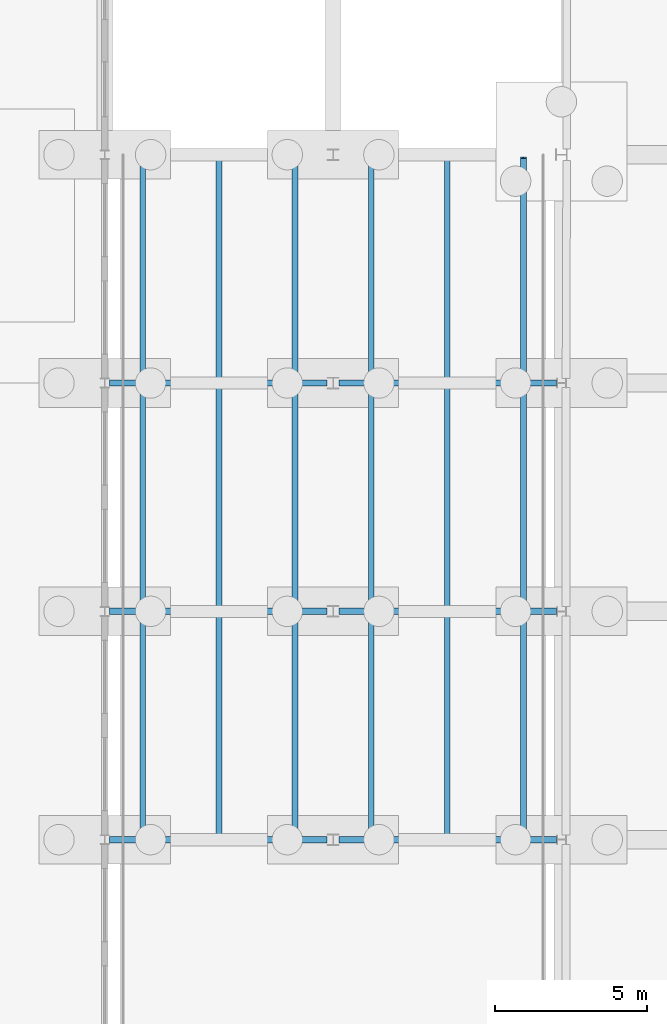
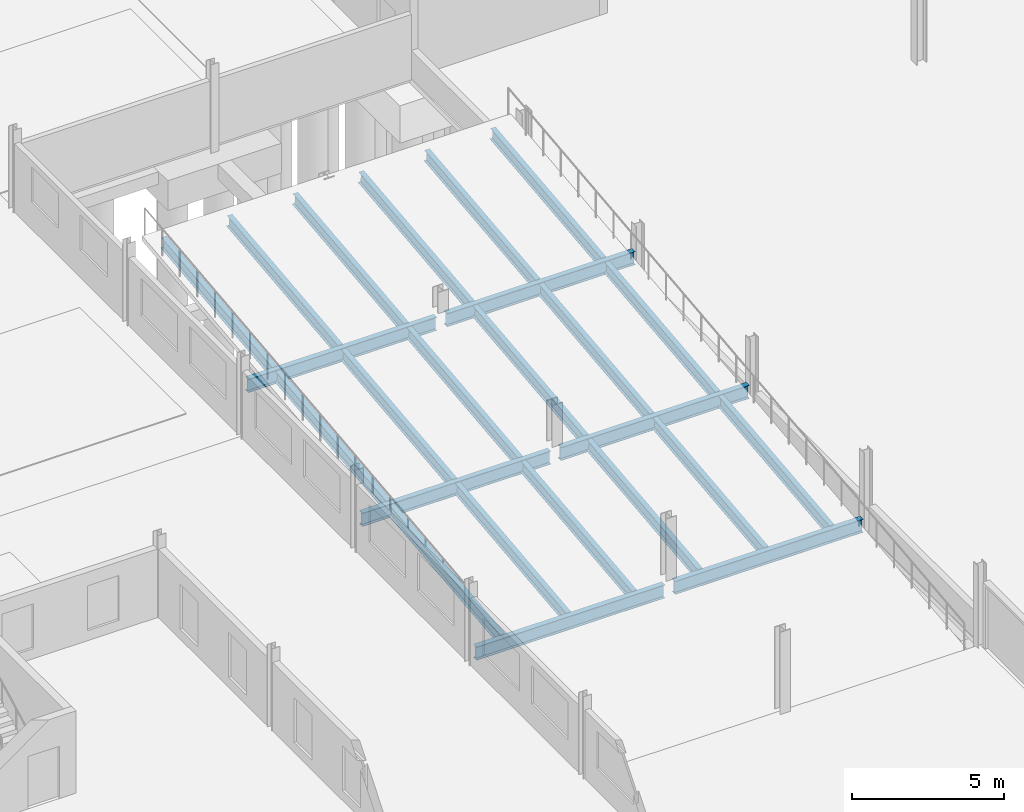
# One storey, part 58 of 130: 24 beams.
"""IFC4 building model written with IfcOpenShell, lengths in metres."""

from ifc_helpers import new_model, si_unit, direction, frame, origin, origin_2d, place, context, subcontext, project, spatial, i_section, extrude, material, material_profile, profile_set, type_object, element, save


model = new_model("IFC4")

# Units and contexts
model_context = context("Model", 3, precision=1e-05, world=origin(), true_north=direction((0.0, 1.0)))
body_context = subcontext(model_context, "Body", "Model", "MODEL_VIEW")
ifc_project = project(units=[si_unit("LENGTHUNIT", "METRE"), si_unit("AREAUNIT", "SQUARE_METRE"), si_unit("VOLUMEUNIT", "CUBIC_METRE"), si_unit("PLANEANGLEUNIT", "RADIAN"), si_unit("MASSUNIT", "GRAM", prefix="KILO")], contexts=[model_context])

# Site, building, storey
site_placement = place(None, origin())
site = spatial("IfcSite", under=ifc_project, at=site_placement, CompositionType="ELEMENT")
building_placement = place(site_placement, origin())
building = spatial("IfcBuilding", under=site, at=building_placement, Name="Parallax Yard Mobility Hub", CompositionType="ELEMENT")
storey_placement = place(building_placement, origin())
storey = spatial("IfcBuildingStorey", under=building, at=storey_placement, Name="L00", CompositionType="ELEMENT", Elevation=0.0)

# Beams
ifc_material = material(Name="Steel ASTM A992", Category="steel")
ifc_material_profile_1 = material_profile(ifc_material, i_section(OverallWidth=0.19091796875, OverallDepth=0.45703125, WebThickness=0.009033203125, FlangeThickness=0.014404296875, FilletRadius=0.01025390625, at=origin_2d()), Name="W460x74")
ifc_profile_set_1 = profile_set([ifc_material_profile_1], Name="Steel ASTM A992")
beam_type_1 = type_object("IfcBeamType", Name="W460x74 ramp beam", PredefinedType="JOIST", material=ifc_profile_set_1)
for number, where, z_axis, x_axis, name in (
    (1, (181.25, 45.1044921875, 0.406494140625), (0.0, 0.994004500635, 0.109339163695), (-1.0, 0.0, 0.0), "Ramp beam RJ1 level L00, ramp RP1 of ramp house, span 1"),
    (2, (181.25, 52.6044921875, 1.231689453125), (0.0, 0.994004500635, 0.109339163695), (-1.0, 0.0, 0.0), "Ramp beam RJ1 level L00, ramp RP1 of ramp house, span 2"),
    (3, (181.25, 60.1044921875, 2.056640625), (0.0, 0.994004500635, 0.109339163695), (-1.0, 0.0, 0.0), "Ramp beam RJ1 level L00, ramp RP1 of ramp house, span 3"),
    (4, (183.75, 45.1044921875, 0.406494140625), (0.0, 0.994004500635, 0.109339163695), (-1.0, 0.0, 0.0), "Ramp beam RJ1 level L00, ramp RP1 of ramp house, span 4"),
    (5, (183.75, 52.6044921875, 1.231689453125), (0.0, 0.994004500635, 0.109339163695), (-1.0, 0.0, 0.0), "Ramp beam RJ1 level L00, ramp RP1 of ramp house, span 5"),
    (6, (183.75, 60.1044921875, 2.056640625), (0.0, 0.994004500635, 0.109339163695), (-1.0, 0.0, 0.0), "Ramp beam RJ1 level L00, ramp RP1 of ramp house, span 6"),
    (7, (186.25, 45.1044921875, 0.406494140625), (0.0, 0.994004500635, 0.109339163695), (-1.0, 0.0, 0.0), "Ramp beam RJ1 level L00, ramp RP1 of ramp house, span 7"),
    (8, (186.25, 52.6044921875, 1.231689453125), (0.0, 0.994004500635, 0.109339163695), (-1.0, 0.0, 0.0), "Ramp beam RJ1 level L00, ramp RP1 of ramp house, span 8"),
    (9, (186.25, 60.1044921875, 2.056640625), (0.0, 0.994004500635, 0.109339163695), (-1.0, 0.0, 0.0), "Ramp beam RJ1 level L00, ramp RP1 of ramp house, span 9"),
    (10, (188.75, 45.1044921875, 0.406494140625), (0.0, 0.994004500635, 0.109339163695), (-1.0, 0.0, 0.0), "Ramp beam RJ1 level L00, ramp RP1 of ramp house, span 10"),
    (11, (188.75, 52.6044921875, 1.231689453125), (0.0, 0.994004500635, 0.109339163695), (-1.0, 0.0, 0.0), "Ramp beam RJ1 level L00, ramp RP1 of ramp house, span 11"),
    (12, (188.75, 60.1044921875, 2.056640625), (0.0, 0.994004500635, 0.109339163695), (-1.0, 0.0, 0.0), "Ramp beam RJ1 level L00, ramp RP1 of ramp house, span 12"),
    (13, (191.25, 45.1044921875, 0.406494140625), (0.0, 0.994004500635, 0.109339163695), (-1.0, 0.0, 0.0), "Ramp beam RJ1 level L00, ramp RP1 of ramp house, span 13"),
    (14, (191.25, 52.6044921875, 1.231689453125), (0.0, 0.994004500635, 0.109339163695), (-1.0, 0.0, 0.0), "Ramp beam RJ1 level L00, ramp RP1 of ramp house, span 14"),
    (15, (191.25, 60.1044921875, 2.056640625), (0.0, 0.994004500635, 0.109339163695), (-1.0, 0.0, 0.0), "Ramp beam RJ1 level L00, ramp RP1 of ramp house, span 15"),
    (16, (193.75, 45.1044921875, 0.406494140625), (0.0, 0.994004500635, 0.109339163695), (-1.0, 0.0, 0.0), "Ramp beam RJ1 level L00, ramp RP1 of ramp house, span 16"),
    (17, (193.75, 52.6044921875, 1.231689453125), (0.0, 0.994004500635, 0.109339163695), (-1.0, 0.0, 0.0), "Ramp beam RJ1 level L00, ramp RP1 of ramp house, span 17"),
    (18, (193.75, 60.1044921875, 2.056640625), (0.0, 0.994004500635, 0.109339163695), (-1.0, 0.0, 0.0), "Ramp beam RJ1 level L00, ramp RP1 of ramp house, span 18"),
):
    element("IfcBeam", number, at=place(storey_placement, frame(where, z_axis=z_axis, x_axis=x_axis)), inside=storey, type_object=beam_type_1, Name=name, PredefinedType="JOIST", context=body_context, shape_type="SweptSolid", body=[
        extrude(i_section(OverallWidth=0.19091796875, OverallDepth=0.45703125, WebThickness=0.009033203125, FlangeThickness=0.014404296875, FilletRadius=0.01025390625, at=origin_2d()), origin(), (0.0, 0.0, 1.0), 7.3349609375),
    ])
ifc_material_profile_2 = material_profile(ifc_material, i_section(OverallWidth=0.208984375, OverallDepth=0.532958984375, WebThickness=0.01025390625, FlangeThickness=0.015625, FilletRadius=0.0126953125, at=origin_2d()), Name="W530x92")
ifc_profile_set_2 = profile_set([ifc_material_profile_2], Name="Steel ASTM A992")
beam_type_2 = type_object("IfcBeamType", Name="W530x92 girder", PredefinedType="BEAM", material=ifc_profile_set_2)
beam_1_placement = place(storey_placement, frame((180.152587890625, 45.0, 0.346923828125), z_axis=(1.0, 0.0, 0.0), x_axis=(0.0, 1.0, 0.0)))
element("IfcBeam", 19, at=beam_1_placement, inside=storey, type_object=beam_type_2, Name="Girder G2 level L00, line G of ramp house, span 1", PredefinedType="BEAM", context=body_context, shape_type="SweptSolid", body=[
    extrude(i_section(OverallWidth=0.208984375, OverallDepth=0.532958984375, WebThickness=0.01025390625, FlangeThickness=0.015625, FilletRadius=0.0126953125, at=origin_2d()), origin(), (0.0, 0.0, 1.0), 7.150390625),
])
beam_2_placement = place(storey_placement, frame((187.697021484375, 45.0, 0.346923828125), z_axis=(1.0, 0.0, 0.0), x_axis=(0.0, 1.0, 0.0)))
element("IfcBeam", 20, at=beam_2_placement, inside=storey, type_object=beam_type_2, Name="Girder G2 level L00, line G of ramp house, span 2", PredefinedType="BEAM", context=body_context, shape_type="SweptSolid", body=[
    extrude(i_section(OverallWidth=0.208984375, OverallDepth=0.532958984375, WebThickness=0.01025390625, FlangeThickness=0.015625, FilletRadius=0.0126953125, at=origin_2d()), origin(), (0.0, 0.0, 1.0), 7.14404296875),
])
beam_3_placement = place(storey_placement, frame((180.152587890625, 52.5, 1.172119140625), z_axis=(1.0, 0.0, 0.0), x_axis=(0.0, 1.0, 0.0)))
element("IfcBeam", 21, at=beam_3_placement, inside=storey, type_object=beam_type_2, Name="Girder G2 level L00, line H of ramp house, span 1", PredefinedType="BEAM", context=body_context, shape_type="SweptSolid", body=[
    extrude(i_section(OverallWidth=0.208984375, OverallDepth=0.532958984375, WebThickness=0.01025390625, FlangeThickness=0.015625, FilletRadius=0.0126953125, at=origin_2d()), origin(), (0.0, 0.0, 1.0), 7.150390625),
])
beam_4_placement = place(storey_placement, frame((187.697021484375, 52.5, 1.172119140625), z_axis=(1.0, 0.0, 0.0), x_axis=(0.0, 1.0, 0.0)))
element("IfcBeam", 22, at=beam_4_placement, inside=storey, type_object=beam_type_2, Name="Girder G2 level L00, line H of ramp house, span 2", PredefinedType="BEAM", context=body_context, shape_type="SweptSolid", body=[
    extrude(i_section(OverallWidth=0.208984375, OverallDepth=0.532958984375, WebThickness=0.01025390625, FlangeThickness=0.015625, FilletRadius=0.0126953125, at=origin_2d()), origin(), (0.0, 0.0, 1.0), 7.14404296875),
])
beam_5_placement = place(storey_placement, frame((180.152587890625, 60.0, 1.9970703125), z_axis=(1.0, 0.0, 0.0), x_axis=(0.0, 1.0, 0.0)))
element("IfcBeam", 23, at=beam_5_placement, inside=storey, type_object=beam_type_2, Name="Girder G2 level L00, line J of ramp house, span 1", PredefinedType="BEAM", context=body_context, shape_type="SweptSolid", body=[
    extrude(i_section(OverallWidth=0.208984375, OverallDepth=0.532958984375, WebThickness=0.01025390625, FlangeThickness=0.015625, FilletRadius=0.0126953125, at=origin_2d()), origin(), (0.0, 0.0, 1.0), 7.150390625),
])
beam_6_placement = place(storey_placement, frame((187.697021484375, 60.0, 1.9970703125), z_axis=(1.0, 0.0, 0.0), x_axis=(0.0, 1.0, 0.0)))
element("IfcBeam", 24, at=beam_6_placement, inside=storey, type_object=beam_type_2, Name="Girder G2 level L00, line J of ramp house, span 2", PredefinedType="BEAM", context=body_context, shape_type="SweptSolid", body=[
    extrude(i_section(OverallWidth=0.208984375, OverallDepth=0.532958984375, WebThickness=0.01025390625, FlangeThickness=0.015625, FilletRadius=0.0126953125, at=origin_2d()), origin(), (0.0, 0.0, 1.0), 7.14404296875),
])

save(model, "model.ifc")
